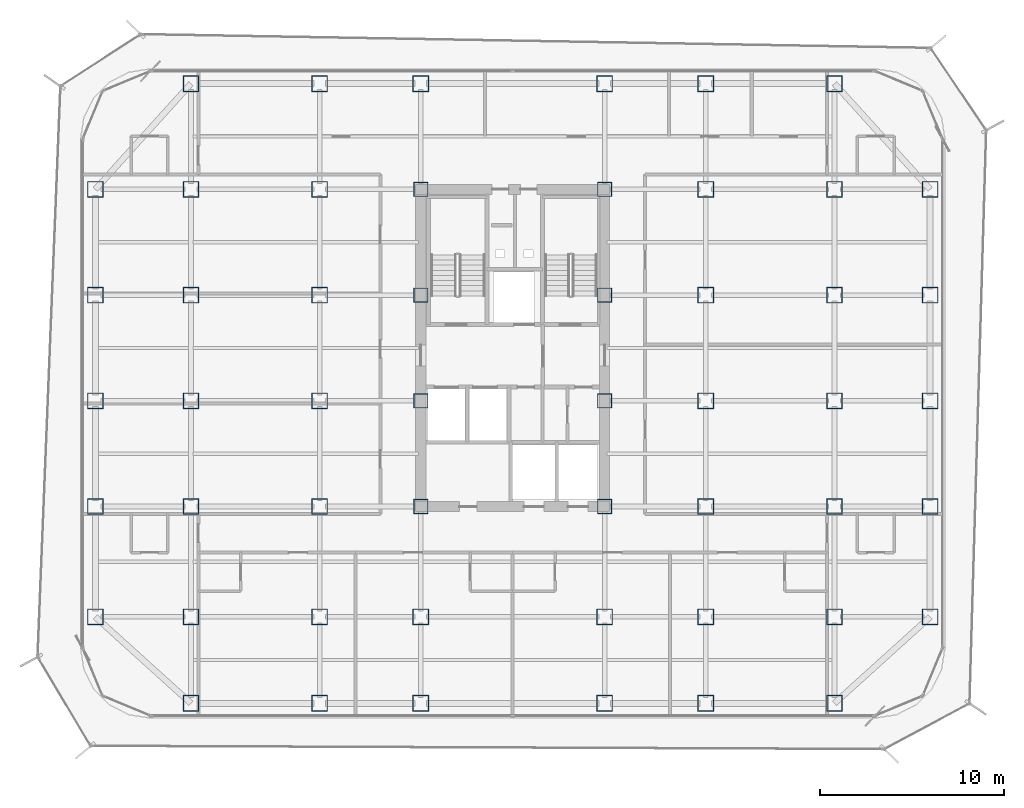
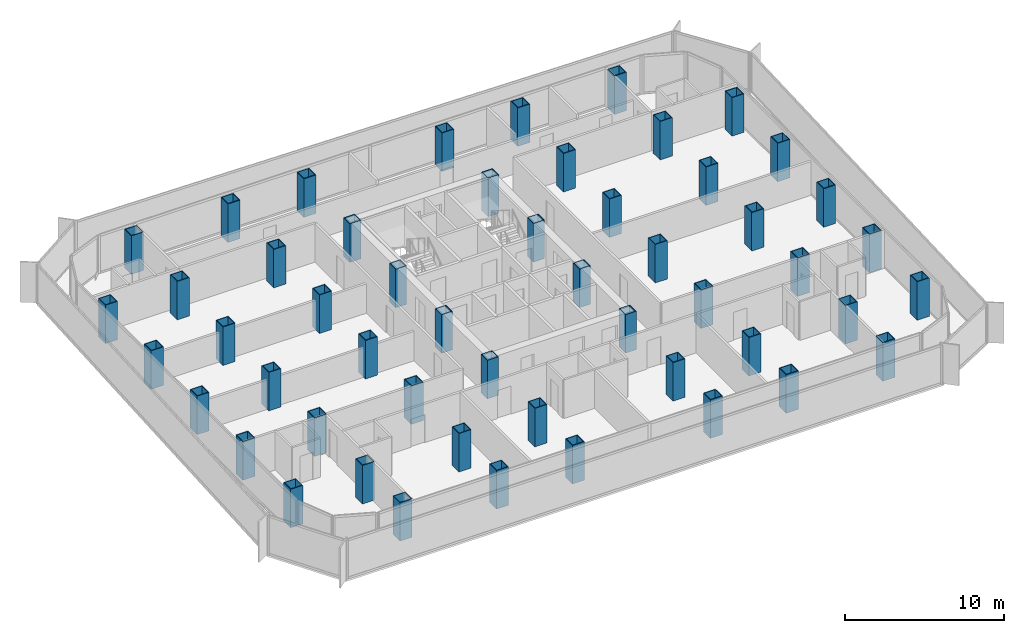
# One storey, part 1 of 21: 52 columns.
"""IFC4 building model written with IfcOpenShell, lengths in metres."""

from ifc_helpers import new_model, si_unit, direction, frame, origin, origin_2d, place, context, subcontext, project, spatial, hollow_rectangle, extrude, source, transform, mapped, material, material_profile, profile_set, type_object, element, save


model = new_model("IFC4")

# Units and contexts
model_context = context("Model", 3, precision=1e-05, world=origin(), true_north=direction((0.0, 1.0)))
body_context = subcontext(model_context, "Body", "Model", "MODEL_VIEW")
ifc_project = project(units=[si_unit("LENGTHUNIT", "METRE"), si_unit("AREAUNIT", "SQUARE_METRE"), si_unit("VOLUMEUNIT", "CUBIC_METRE"), si_unit("PLANEANGLEUNIT", "RADIAN"), si_unit("MASSUNIT", "GRAM", prefix="KILO")], contexts=[model_context])

# Site, building, storey
site_placement = place(None, origin())
site = spatial("IfcSite", under=ifc_project, at=site_placement, CompositionType="ELEMENT")
building_placement = place(site_placement, origin())
building = spatial("IfcBuilding", under=site, at=building_placement, Name="Kolveth Station Tower", CompositionType="ELEMENT")
storey_placement = place(building_placement, frame((0.0, 0.0, 108.699951171875)))
storey = spatial("IfcBuildingStorey", under=building, at=storey_placement, Name="L29", CompositionType="ELEMENT", Elevation=108.699951171875)

# Columns
ifc_material_1 = material(Name="Steel S460", Category="steel")
ifc_material_profile_1 = material_profile(ifc_material_1, hollow_rectangle(XDim=0.8798828125, YDim=0.8798828125, WallThickness=0.050048828125, at=origin_2d()), Name="BOX880x880x50")
ifc_profile_set_1 = profile_set([ifc_material_profile_1], Name="Steel S460")
column_type_1 = type_object("IfcColumnType", Name="Col_C4", PredefinedType="COLUMN", material=ifc_profile_set_1)
shared_shape_1 = source(origin(), body_context, "Body", "SweptSolid", [
    extrude(hollow_rectangle(XDim=0.8798828125, YDim=0.8798828125, WallThickness=0.050048828125, at=origin_2d()), origin(), (0.0, 0.0, 1.0), 2.949951171875),
])
for number, where, z_axis, x_axis, name in (
    (1, (6.0, 0.800048828125, 0.0), (0.0, 0.0, 1.0), (1.0, 0.0, 0.0), "L29 Tower Column S-X60"),
    (2, (6.0, 34.5, 0.0), (0.0, 0.0, 1.0), (1.0, 0.0, 0.0), "L29 Tower Column N-X60"),
    (3, (13.0, 0.800048828125, 0.0), (0.0, 0.0, 1.0), (1.0, 0.0, 0.0), "L29 Tower Column S-X130"),
    (4, (13.0, 34.5, 0.0), (0.0, 0.0, 1.0), (1.0, 0.0, 0.0), "L29 Tower Column N-X130"),
    (5, (18.5, 0.800048828125, 0.0), (0.0, 0.0, 1.0), (1.0, 0.0, 0.0), "L29 Tower Column S-X185"),
    (6, (18.5, 34.5, 0.0), (0.0, 0.0, 1.0), (1.0, 0.0, 0.0), "L29 Tower Column N-X185"),
    (7, (28.5, 0.800048828125, 0.0), (0.0, 0.0, 1.0), (1.0, 0.0, 0.0), "L29 Tower Column S-X285"),
    (8, (28.5, 34.5, 0.0), (0.0, 0.0, 1.0), (1.0, 0.0, 0.0), "L29 Tower Column N-X285"),
    (9, (34.0, 0.800048828125, 0.0), (0.0, 0.0, 1.0), (1.0, 0.0, 0.0), "L29 Tower Column S-X340"),
    (10, (34.0, 34.5, 0.0), (0.0, 0.0, 1.0), (1.0, 0.0, 0.0), "L29 Tower Column N-X340"),
    (11, (41.0, 0.800048828125, 0.0), (0.0, 0.0, 1.0), (1.0, 0.0, 0.0), "L29 Tower Column S-X410"),
    (12, (41.0, 34.5, 0.0), (0.0, 0.0, 1.0), (1.0, 0.0, 0.0), "L29 Tower Column N-X410"),
    (13, (0.800048828125, 5.5, 0.0), (0.0, 0.0, 1.0), (1.0, 0.0, 0.0), "L29 Tower Column W-Y55"),
    (14, (46.199951171875, 5.5, 0.0), (0.0, 0.0, 1.0), (1.0, 0.0, 0.0), "L29 Tower Column E-Y55"),
    (15, (0.800048828125, 11.5, 0.0), (0.0, 0.0, 1.0), (1.0, 0.0, 0.0), "L29 Tower Column W-Y115"),
    (16, (46.199951171875, 11.5, 0.0), (0.0, 0.0, 1.0), (1.0, 0.0, 0.0), "L29 Tower Column E-Y115"),
    (17, (0.800048828125, 17.25, 0.0), (0.0, 0.0, 1.0), (1.0, 0.0, 0.0), "L29 Tower Column W-Y172"),
    (18, (46.199951171875, 17.25, 0.0), (0.0, 0.0, 1.0), (1.0, 0.0, 0.0), "L29 Tower Column E-Y172"),
    (19, (0.800048828125, 23.0, 0.0), (0.0, 0.0, 1.0), (1.0, 0.0, 0.0), "L29 Tower Column W-Y230"),
    (20, (46.199951171875, 23.0, 0.0), (0.0, 0.0, 1.0), (1.0, 0.0, 0.0), "L29 Tower Column E-Y230"),
    (21, (0.800048828125, 28.75, 0.0), (0.0, 0.0, 1.0), (1.0, 0.0, 0.0), "L29 Tower Column W-Y287"),
    (22, (46.199951171875, 28.75, 0.0), (0.0, 0.0, 1.0), (1.0, 0.0, 0.0), "L29 Tower Column E-Y287"),
    (23, (6.0, 5.5, 0.0), (0.0, 0.0, 1.0), (1.0, 0.0, 0.0), "L29 Tower Column G-60-55"),
    (24, (6.0, 11.5, 0.0), (0.0, 0.0, 1.0), (1.0, 0.0, 0.0), "L29 Tower Column G-60-115"),
    (25, (6.0, 17.25, 0.0), (0.0, 0.0, 1.0), (1.0, 0.0, 0.0), "L29 Tower Column G-60-172"),
    (26, (6.0, 23.0, 0.0), (0.0, 0.0, 1.0), (1.0, 0.0, 0.0), "L29 Tower Column G-60-230"),
    (27, (6.0, 28.75, 0.0), (0.0, 0.0, 1.0), (1.0, 0.0, 0.0), "L29 Tower Column G-60-287"),
    (28, (13.0, 5.5, 0.0), (0.0, 0.0, 1.0), (1.0, 0.0, 0.0), "L29 Tower Column G-130-55"),
    (29, (13.0, 11.5, 0.0), (0.0, 0.0, 1.0), (1.0, 0.0, 0.0), "L29 Tower Column G-130-115"),
    (30, (13.0, 17.25, 0.0), (0.0, 0.0, 1.0), (1.0, 0.0, 0.0), "L29 Tower Column G-130-172"),
    (31, (13.0, 23.0, 0.0), (0.0, 0.0, 1.0), (1.0, 0.0, 0.0), "L29 Tower Column G-130-230"),
    (32, (13.0, 28.75, 0.0), (0.0, 0.0, 1.0), (1.0, 0.0, 0.0), "L29 Tower Column G-130-287"),
    (33, (18.5, 5.5, 0.0), (0.0, 0.0, 1.0), (1.0, 0.0, 0.0), "L29 Tower Column G-185-55"),
    (34, (28.5, 5.5, 0.0), (0.0, 0.0, 1.0), (1.0, 0.0, 0.0), "L29 Tower Column G-285-55"),
    (35, (34.0, 5.5, 0.0), (0.0, 0.0, 1.0), (1.0, 0.0, 0.0), "L29 Tower Column G-340-55"),
    (36, (34.0, 11.5, 0.0), (0.0, 0.0, 1.0), (1.0, 0.0, 0.0), "L29 Tower Column G-340-115"),
    (37, (34.0, 17.25, 0.0), (0.0, 0.0, 1.0), (1.0, 0.0, 0.0), "L29 Tower Column G-340-172"),
    (38, (34.0, 23.0, 0.0), (0.0, 0.0, 1.0), (1.0, 0.0, 0.0), "L29 Tower Column G-340-230"),
    (39, (34.0, 28.75, 0.0), (0.0, 0.0, 1.0), (1.0, 0.0, 0.0), "L29 Tower Column G-340-287"),
    (40, (41.0, 5.5, 0.0), (0.0, 0.0, 1.0), (1.0, 0.0, 0.0), "L29 Tower Column G-410-55"),
    (41, (41.0, 11.5, 0.0), (0.0, 0.0, 1.0), (1.0, 0.0, 0.0), "L29 Tower Column G-410-115"),
    (42, (41.0, 17.25, 0.0), (0.0, 0.0, 1.0), (1.0, 0.0, 0.0), "L29 Tower Column G-410-172"),
    (43, (41.0, 23.0, 0.0), (0.0, 0.0, 1.0), (1.0, 0.0, 0.0), "L29 Tower Column G-410-230"),
    (44, (41.0, 28.75, 0.0), (0.0, 0.0, 1.0), (1.0, 0.0, 0.0), "L29 Tower Column G-410-287"),
):
    element("IfcColumn", number, at=place(storey_placement, frame(where, z_axis=z_axis, x_axis=x_axis)), inside=storey, type_object=column_type_1, Name=name, PredefinedType="COLUMN", context=body_context, shape_type="MappedRepresentation", body=[
        mapped(shared_shape_1, transform((0.0, 0.0, 0.0), x_axis=(1.0, 0.0, 0.0), y_axis=(0.0, 1.0, 0.0), z_axis=(0.0, 0.0, 1.0), scale=1.0)),
    ])
ifc_material_2 = material(Name="Steel S355", Category="steel")
ifc_material_profile_2 = material_profile(ifc_material_2, hollow_rectangle(XDim=0.800048828125, YDim=0.800048828125, WallThickness=0.044921875, at=origin_2d()), Name="BOX800x800x45")
ifc_profile_set_2 = profile_set([ifc_material_profile_2], Name="Steel S355")
column_type_2 = type_object("IfcColumnType", Name="Col_C5", PredefinedType="COLUMN", material=ifc_profile_set_2)
shared_shape_2 = source(origin(), body_context, "Body", "SweptSolid", [
    extrude(hollow_rectangle(XDim=0.800048828125, YDim=0.800048828125, WallThickness=0.044921875, at=origin_2d()), origin(), (0.0, 0.0, 1.0), 2.949951171875),
])
for number, where, z_axis, x_axis, name in (
    (45, (18.5, 11.5, 0.0), (0.0, 0.0, 1.0), (1.0, 0.0, 0.0), "L29 Tower Column G-185-115"),
    (46, (18.5, 17.25, 0.0), (0.0, 0.0, 1.0), (1.0, 0.0, 0.0), "L29 Tower Column G-185-172"),
    (47, (18.5, 23.0, 0.0), (0.0, 0.0, 1.0), (1.0, 0.0, 0.0), "L29 Tower Column G-185-230"),
    (48, (18.5, 28.75, 0.0), (0.0, 0.0, 1.0), (1.0, 0.0, 0.0), "L29 Tower Column G-185-287"),
    (49, (28.5, 11.5, 0.0), (0.0, 0.0, 1.0), (1.0, 0.0, 0.0), "L29 Tower Column G-285-115"),
    (50, (28.5, 17.25, 0.0), (0.0, 0.0, 1.0), (1.0, 0.0, 0.0), "L29 Tower Column G-285-172"),
    (51, (28.5, 23.0, 0.0), (0.0, 0.0, 1.0), (1.0, 0.0, 0.0), "L29 Tower Column G-285-230"),
    (52, (28.5, 28.75, 0.0), (0.0, 0.0, 1.0), (1.0, 0.0, 0.0), "L29 Tower Column G-285-287"),
):
    element("IfcColumn", number, at=place(storey_placement, frame(where, z_axis=z_axis, x_axis=x_axis)), inside=storey, type_object=column_type_2, Name=name, PredefinedType="COLUMN", context=body_context, shape_type="MappedRepresentation", body=[
        mapped(shared_shape_2, transform((0.0, 0.0, 0.0), x_axis=(1.0, 0.0, 0.0), y_axis=(0.0, 1.0, 0.0), z_axis=(0.0, 0.0, 1.0), scale=1.0)),
    ])

save(model, "model.ifc")
